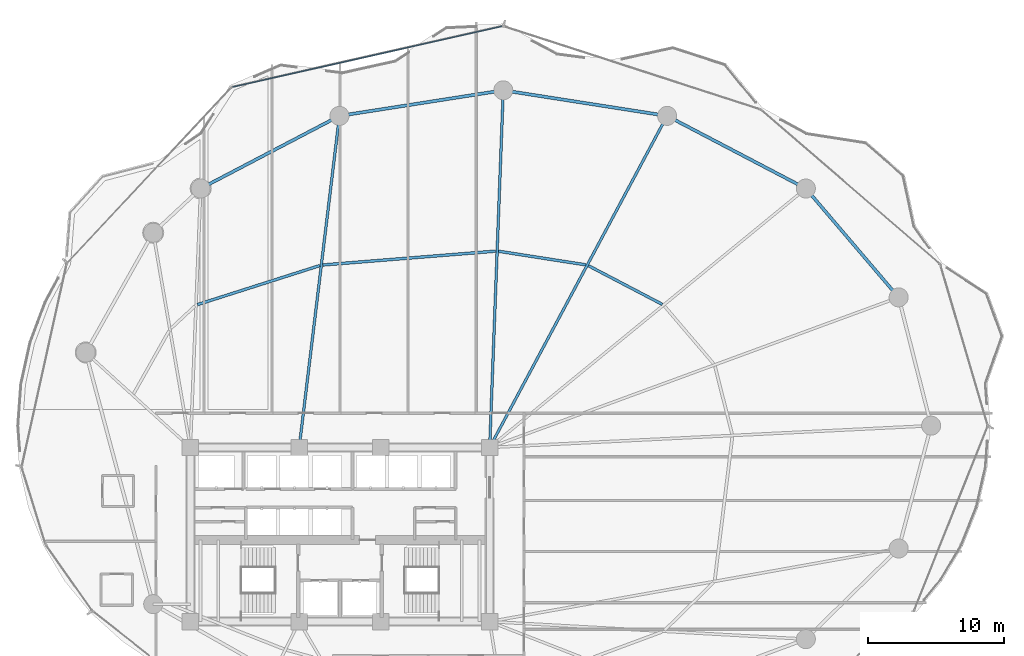
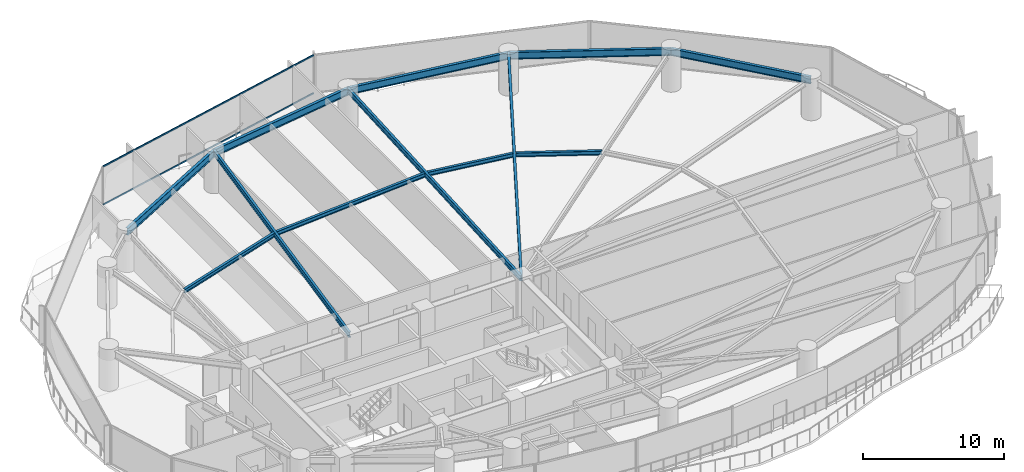
# One storey, part 18 of 34: 12 beams, 2 members, 1 element without a shape of its own.
"""IFC4 building model written with IfcOpenShell, lengths in metres."""

import ifcopenshell
import ifcopenshell.guid

model = None  # the IFC model being written
_history = None  # IfcOwnerHistory: only IFC2X3 demands one
_inside = {}  # id of a spatial element -> (the spatial element, [elements in it])
_under = {}  # id of a project, library or spatial element -> (it, [spatial elements below it])
_declared = {}  # id of a project -> (the project, [libraries it declares])
_typed = {}  # id of a type object -> (the type object, [elements of that type])
_made_of = {}  # id of a material, layer set ... -> (it, [elements and type objects made of it])


def new_model(schema):
    """Start an empty IFC model of exactly this schema.

    Asked for "IFC4X3", IfcOpenShell would pick the latest addendum, in which some entities
    have other attributes; the version numbers below select the first issue.
    IFC2X3 requires an IfcOwnerHistory on every rooted entity: one is made here for all.
    """
    global model, _history
    if schema == "IFC4X3":
        model = ifcopenshell.file(schema_version=(4, 3, 0, 0))
    else:
        model = ifcopenshell.file(schema=schema)
    _inside.clear()
    _under.clear()
    _declared.clear()
    _typed.clear()
    _made_of.clear()
    _history = None
    if model.schema == "IFC2X3":
        org = make("IfcOrganization", Name="unknown")
        user = make(
            "IfcPersonAndOrganization",
            ThePerson=make("IfcPerson", FamilyName="unknown"),
            TheOrganization=org,
        )
        app = make(
            "IfcApplication",
            ApplicationDeveloper=org,
            Version="unknown",
            ApplicationFullName="unknown",
            ApplicationIdentifier="unknown",
        )
        _history = make(
            "IfcOwnerHistory",
            OwningUser=user,
            OwningApplication=app,
            ChangeAction="ADDED",
            CreationDate=0,
        )
    return model


def make(cls, **values):
    """One entity of the class cls with the attributes given. An attribute that is None is left unset."""
    return model.create_entity(
        cls, **{name: value for name, value in values.items() if value is not None}
    )


def rooted(cls, **values):
    """An entity with a GlobalId (a new one), such as an element, a storey or a relation."""
    return make(cls, GlobalId=ifcopenshell.guid.new(), OwnerHistory=_history, **values)


def si_unit(unit_type, name, prefix=None):
    """IfcSIUnit, for example si_unit("LENGTHUNIT", "METRE", prefix="MILLI")."""
    return make("IfcSIUnit", UnitType=unit_type, Prefix=prefix, Name=name)


def assignment(units):
    """IfcUnitAssignment: the units of a project."""
    return None if units is None else make("IfcUnitAssignment", Units=units)


def point(xyz):
    """IfcCartesianPoint."""
    return None if xyz is None else make("IfcCartesianPoint", Coordinates=xyz)


def direction(xyz):
    """IfcDirection."""
    return None if xyz is None else make("IfcDirection", DirectionRatios=xyz)


def frame(location, z_axis=None, x_axis=None):
    """IfcAxis2Placement3D, a coordinate frame: its origin and axes. An axis left out is left unset."""
    return make(
        "IfcAxis2Placement3D",
        Location=point(location),
        Axis=direction(z_axis),
        RefDirection=direction(x_axis),
    )


def frame_2d(location, x_axis=None):
    """IfcAxis2Placement2D, a coordinate frame in the plane: its origin and x axis."""
    return make(
        "IfcAxis2Placement2D", Location=point(location), RefDirection=direction(x_axis)
    )


def origin():
    """The frame at (0, 0, 0) with its axes left unset."""
    return frame((0.0, 0.0, 0.0))


def origin_2d():
    """The frame at (0, 0) in the plane with its x axis left unset."""
    return frame_2d((0.0, 0.0))


def place(relative_to, where):
    """IfcLocalPlacement: puts the frame where relative to a parent placement (None: the world)."""
    return make(
        "IfcLocalPlacement", PlacementRelTo=relative_to, RelativePlacement=where
    )


def context(
    kind, dimensions, precision=None, world=None, true_north=None, identifier=None
):
    """IfcGeometricRepresentationContext, for example the 3D "Model" context."""
    return make(
        "IfcGeometricRepresentationContext",
        ContextIdentifier=identifier,
        ContextType=kind,
        CoordinateSpaceDimension=dimensions,
        Precision=precision,
        WorldCoordinateSystem=world,
        TrueNorth=true_north,
    )


def subcontext(parent, identifier, kind, view, scale=None):
    """IfcGeometricRepresentationSubContext, for example "Body" below "Model"."""
    return make(
        "IfcGeometricRepresentationSubContext",
        ContextIdentifier=identifier,
        ContextType=kind,
        ParentContext=parent,
        TargetScale=scale,
        TargetView=view,
    )


def project(units=None, contexts=None):
    """IfcProject with its units and contexts."""
    return rooted(
        "IfcProject",
        Name="project",
        RepresentationContexts=contexts,
        UnitsInContext=assignment(units),
    )


def spatial(cls, under=None, at=None, **own):
    """A site, building, storey or space (cls), placed at a placement, below another one or the project."""
    s = rooted(cls, ObjectPlacement=at, **own)
    if under is not None:
        _under.setdefault(under.id(), (under, []))[1].append(s)
    return s


def profile(cls, at=None, kind="AREA", **sizes):
    """A parametric profile (cls). Its sizes go by their IFC names, for example OverallWidth=200.0."""
    return make(cls, ProfileType=kind, Position=at, **sizes)


def hollow_rectangle(**sizes):
    """IfcRectangleHollowProfileDef."""
    return profile("IfcRectangleHollowProfileDef", **sizes)


def i_section(**sizes):
    """IfcIShapeProfileDef."""
    return profile("IfcIShapeProfileDef", **sizes)


def extrude(swept, where, along, depth):
    """IfcExtrudedAreaSolid: the profile swept, set in the frame where, extruded along a direction by depth."""
    return make(
        "IfcExtrudedAreaSolid",
        SweptArea=swept,
        Position=where,
        ExtrudedDirection=direction(along),
        Depth=depth,
    )


def shape(context_of_items, identifier, shape_type, items):
    """IfcShapeRepresentation: the items that make up one representation, for example the "Body"."""
    return make(
        "IfcShapeRepresentation",
        ContextOfItems=context_of_items,
        RepresentationIdentifier=identifier,
        RepresentationType=shape_type,
        Items=items,
    )


def material(Name=None, Category=None):
    """IfcMaterial."""
    return make("IfcMaterial", Name=Name, Category=Category)


def layer(
    of_material, thickness, ventilated=None, Name=None, Category=None, Priority=None
):
    """IfcMaterialLayer: one layer of a wall or slab, of a material (None: an air gap)."""
    return make(
        "IfcMaterialLayer",
        Material=of_material,
        LayerThickness=thickness,
        IsVentilated=ventilated,
        Name=Name,
        Category=Category,
        Priority=Priority,
    )


def layer_set(layers, Name=None):
    """IfcMaterialLayerSet."""
    return make("IfcMaterialLayerSet", MaterialLayers=layers, LayerSetName=Name)


def material_profile(
    of_material, cross_section, Name=None, Category=None, Priority=None
):
    """IfcMaterialProfile: a cross section and its material."""
    return make(
        "IfcMaterialProfile",
        Name=Name,
        Material=of_material,
        Profile=cross_section,
        Priority=Priority,
        Category=Category,
    )


def profile_set(profiles, Name=None, composite=None):
    """IfcMaterialProfileSet."""
    return make(
        "IfcMaterialProfileSet",
        Name=Name,
        MaterialProfiles=profiles,
        CompositeProfile=composite,
    )


def made_of(thing, what):
    """Note that an element or type object is made of a material, layer set ...; save() writes the relation."""
    if what is not None:
        _made_of.setdefault(what.id(), (what, []))[1].append(thing)
    return thing


def type_object(cls, material=None, **own):
    """A type object (cls), such as IfcWallType, which elements share."""
    return made_of(rooted(cls, **own), material)


def element(
    cls,
    number,
    at=None,
    inside=None,
    cuts=None,
    type_object=None,
    material=None,
    context=None,
    identifier="Body",
    shape_type=None,
    held_by="IfcProductDefinitionShape",
    body=None,
    shapes=None,
    **own,
):
    """One element of the class cls, such as IfcWall. Its Tag is "e" and its number.

    at: its placement. inside: the storey or other place that contains it. cuts: it is an
    opening in that element (IfcRelVoidsElement). A single representation is given by context,
    identifier, shape_type and body (its items); several are given by shapes. held_by: the class
    of the entity that holds the representations. save() writes the other relations.
    """
    e = rooted(cls, Tag="e%d" % number, ObjectPlacement=at, **own)
    if body is not None:
        shapes = [shape(context, identifier, shape_type, body)]
    if shapes is not None:
        e.Representation = make(held_by, Representations=shapes)
    if inside is not None:
        _inside.setdefault(inside.id(), (inside, []))[1].append(e)
    if cuts is not None:
        rooted(
            "IfcRelVoidsElement", RelatingBuildingElement=cuts, RelatedOpeningElement=e
        )
    if type_object is not None:
        _typed.setdefault(type_object.id(), (type_object, []))[1].append(e)
    return made_of(e, material)


def aggregate(whole, parts):
    """IfcRelAggregates: a whole, such as a stair, and the parts it consists of."""
    return rooted("IfcRelAggregates", RelatingObject=whole, RelatedObjects=parts)


def save(model, path):
    """Write the relations noted so far, then the file.

    IfcRelAggregates (storeys below a building ...), IfcRelContainedInSpatialStructure (elements
    in a storey), IfcRelDefinesByType, IfcRelAssociatesMaterial and IfcRelDeclares: one each for
    every whole, place, type object, material and project.
    """
    for whole, parts in _under.values():
        aggregate(whole, parts)
    for where, things in _inside.values():
        rooted(
            "IfcRelContainedInSpatialStructure",
            RelatedElements=things,
            RelatingStructure=where,
        )
    for kind, things in _typed.values():
        rooted("IfcRelDefinesByType", RelatedObjects=things, RelatingType=kind)
    for what, things in _made_of.values():
        rooted("IfcRelAssociatesMaterial", RelatedObjects=things, RelatingMaterial=what)
    for by, libraries in _declared.values():
        rooted("IfcRelDeclares", RelatingContext=by, RelatedDefinitions=libraries)
    model.write(path)


model = new_model("IFC4")

# Units and contexts
model_context = context("Model", 3, precision=1e-05, world=origin(), true_north=direction((0.0, 1.0)))
body_context = subcontext(model_context, "Body", "Model", "MODEL_VIEW")
ifc_project = project(units=[si_unit("LENGTHUNIT", "METRE"), si_unit("AREAUNIT", "SQUARE_METRE"), si_unit("VOLUMEUNIT", "CUBIC_METRE"), si_unit("PLANEANGLEUNIT", "RADIAN"), si_unit("MASSUNIT", "GRAM", prefix="KILO")], contexts=[model_context])

# Site, building, storey
site_placement = place(None, origin())
site = spatial("IfcSite", under=ifc_project, at=site_placement, CompositionType="ELEMENT")
building_placement = place(site_placement, origin())
building = spatial("IfcBuilding", under=site, at=building_placement, Name="Kazevale Care Tower and Concert Hall", CompositionType="ELEMENT")
storey_placement = place(building_placement, frame((0.0, 0.0, 67.199951171875)))
storey = spatial("IfcBuildingStorey", under=building, at=storey_placement, Name="L17", CompositionType="ELEMENT", Elevation=67.199951171875)

# Curtain wall, members
ifc_material_1 = material(Name="Aluminium 6063-T6 and Low-E Glass", Category="aluminium")
ifc_layer = layer(ifc_material_1, 0.179931640625)
ifc_layer_set = layer_set([ifc_layer], Name="Aluminium 6063-T6 and Low-E Glass")
curtain_wall_type = type_object("IfcCurtainWallType", Name="Convex Recessed Sunroom Curtain Wall CW-3", PredefinedType="NOTDEFINED", material=ifc_layer_set)
curtain_wall_placement = place(storey_placement, origin())
curtain_wall = element("IfcCurtainWall", 1, at=curtain_wall_placement, inside=storey, type_object=curtain_wall_type, Name="cw:L17:f15", PredefinedType="NOTDEFINED")
ifc_material_2 = material(Name="Aluminium 6063-T6", Category="aluminium")
ifc_material_profile_1 = material_profile(ifc_material_2, hollow_rectangle(XDim=0.074951171875, YDim=0.1201171875, WallThickness=0.00390625, at=origin_2d()), Name="ALU75x120x4")
ifc_profile_set_1 = profile_set([ifc_material_profile_1], Name="Aluminium 6063-T6")
member_type = type_object("IfcMemberType", Name="CW-3 Transom ALU75x120x4", PredefinedType="USERDEFINED", material=ifc_profile_set_1)
member_1_placement = place(storey_placement, frame((25.110107421875, 62.8935546875, 0.03759765625), z_axis=(0.975519983898, 0.219910802409, 0.0), x_axis=(-0.219910802409, 0.975519983898, 0.0)))
member_1 = element("IfcMember", 2, at=member_1_placement, type_object=member_type, Name="CW-3 transom 1.1", ObjectType="TRANSOM", PredefinedType="USERDEFINED", context=body_context, shape_type="SweptSolid", body=[
    extrude(hollow_rectangle(XDim=0.074951171875, YDim=0.1201171875, WallThickness=0.00390625, at=origin_2d()), origin(), (0.0, 0.0, 1.0), 20.27197265625),
])
member_2_placement = place(storey_placement, frame((25.110107421875, 62.8935546875, 3.322509765625), z_axis=(0.975519983898, 0.219910802409, 0.0), x_axis=(-0.219910802409, 0.975519983898, 0.0)))
member_2 = element("IfcMember", 3, at=member_2_placement, type_object=member_type, Name="CW-3 transom 1.2", ObjectType="TRANSOM", PredefinedType="USERDEFINED", context=body_context, shape_type="SweptSolid", body=[
    extrude(hollow_rectangle(XDim=0.074951171875, YDim=0.1201171875, WallThickness=0.00390625, at=origin_2d()), origin(), (0.0, 0.0, 1.0), 20.27197265625),
])
aggregate(curtain_wall, [member_1, member_2])

# Beams
ifc_material_3 = material(Name="Steel ASTM A572 Gr 50", Category="steel")
ifc_material_profile_2 = material_profile(ifc_material_3, i_section(OverallWidth=0.19091796875, OverallDepth=0.4599609375, WebThickness=0.010009765625, FlangeThickness=0.01611328125, at=origin_2d()), Name="W460x82")
ifc_profile_set_2 = profile_set([ifc_material_profile_2], Name="Steel ASTM A572 Gr 50")
beam_type_1 = type_object("IfcBeamType", Name="Radial Floor Beam W460x82", PredefinedType="BEAM", material=ifc_profile_set_2)
beam_1_placement = place(storey_placement, frame((44.0, 36.39990234375, 3.130126953125), z_axis=(0.471788966953, 0.88171150081, 0.0), x_axis=(-0.88171150081, 0.471788966953, 0.0)))
element("IfcBeam", 4, at=beam_1_placement, inside=storey, type_object=beam_type_1, Name="beam:L17:rad:04", PredefinedType="BEAM", context=body_context, shape_type="SweptSolid", body=[
    extrude(i_section(OverallWidth=0.19091796875, OverallDepth=0.4599609375, WebThickness=0.010009765625, FlangeThickness=0.01611328125, at=origin_2d()), origin(), (0.0, 0.0, 1.0), 27.6396484375),
])
beam_2_placement = place(storey_placement, frame((44.0, 36.39990234375, 3.130126953125), z_axis=(0.038067625343, 0.999275165258, 0.0), x_axis=(-0.999275165258, 0.038067625343, 0.0)))
element("IfcBeam", 5, at=beam_2_placement, inside=storey, type_object=beam_type_1, Name="beam:L17:rad:05", PredefinedType="BEAM", context=body_context, shape_type="SweptSolid", body=[
    extrude(i_section(OverallWidth=0.19091796875, OverallDepth=0.4599609375, WebThickness=0.010009765625, FlangeThickness=0.01611328125, at=origin_2d()), origin(), (0.0, 0.0, 1.0), 26.26904296875),
])
beam_3_placement = place(storey_placement, frame((30.0, 36.39990234375, 3.130126953125), z_axis=(0.120572526662, 0.9927045209, 0.0), x_axis=(-0.9927045209, 0.120572526662, 0.0)))
element("IfcBeam", 6, at=beam_3_placement, inside=storey, type_object=beam_type_1, Name="beam:L17:rad:06", PredefinedType="BEAM", context=body_context, shape_type="SweptSolid", body=[
    extrude(i_section(OverallWidth=0.19091796875, OverallDepth=0.4599609375, WebThickness=0.010009765625, FlangeThickness=0.01611328125, at=origin_2d()), origin(), (0.0, 0.0, 1.0), 24.54931640625),
])
ifc_material_profile_3 = material_profile(ifc_material_3, i_section(OverallWidth=0.22900390625, OverallDepth=0.612060546875, WebThickness=0.011962890625, FlangeThickness=0.01953125, at=origin_2d()), Name="W610x125")
ifc_profile_set_3 = profile_set([ifc_material_profile_3], Name="Steel ASTM A572 Gr 50")
beam_type_2 = type_object("IfcBeamType", Name="Ring Spandrel Beam W610x125", PredefinedType="SPANDREL", material=ifc_profile_set_3)
beam_4_placement = place(storey_placement, frame((74.06005859375, 47.429931640625, 3.053955078125), z_axis=(-0.648756004283, 0.760996482848, 0.0), x_axis=(-0.760996482848, -0.648756004283, 0.0)))
element("IfcBeam", 7, at=beam_4_placement, inside=storey, type_object=beam_type_2, Name="beam:L17:ring:02", PredefinedType="SPANDREL", context=body_context, shape_type="SweptSolid", body=[
    extrude(i_section(OverallWidth=0.22900390625, OverallDepth=0.612060546875, WebThickness=0.011962890625, FlangeThickness=0.01953125, at=origin_2d()), origin(), (0.0, 0.0, 1.0), 10.512451171875),
])
beam_5_placement = place(storey_placement, frame((67.239990234375, 55.429931640625, 3.053955078125), z_axis=(-0.885929466679, 0.463819986708, 0.0), x_axis=(-0.463819986708, -0.885929466679, 0.0)))
element("IfcBeam", 8, at=beam_5_placement, inside=storey, type_object=beam_type_2, Name="beam:L17:ring:03", PredefinedType="SPANDREL", context=body_context, shape_type="SweptSolid", body=[
    extrude(i_section(OverallWidth=0.22900390625, OverallDepth=0.612060546875, WebThickness=0.011962890625, FlangeThickness=0.01953125, at=origin_2d()), origin(), (0.0, 0.0, 1.0), 11.51318359375),
])
for number, where, z_axis, x_axis, name in (
    (9, (57.0400390625, 60.77001953125, 3.053955078125), (-0.988029216561, 0.154266870134, 0.0), (-0.154266870134, -0.988029216561, 0.0), "beam:L17:ring:04"),
    (10, (45.0, 62.64990234375, 3.053955078125), (-0.988029216561, -0.154266870134, 0.0), (0.154266870134, -0.988029216561, 0.0), "beam:L17:ring:05"),
):
    element("IfcBeam", number, at=place(storey_placement, frame(where, z_axis=z_axis, x_axis=x_axis)), inside=storey, type_object=beam_type_2, Name=name, PredefinedType="SPANDREL", context=body_context, shape_type="SweptSolid", body=[
        extrude(i_section(OverallWidth=0.22900390625, OverallDepth=0.612060546875, WebThickness=0.011962890625, FlangeThickness=0.01953125, at=origin_2d()), origin(), (0.0, 0.0, 1.0), 12.18603515625),
    ])
beam_6_placement = place(storey_placement, frame((32.9599609375, 60.77001953125, 3.053955078125), z_axis=(-0.885929466679, -0.463819986708, 0.0), x_axis=(0.463819986708, -0.885929466679, 0.0)))
element("IfcBeam", 11, at=beam_6_placement, inside=storey, type_object=beam_type_2, Name="beam:L17:ring:06", PredefinedType="SPANDREL", context=body_context, shape_type="SweptSolid", body=[
    extrude(i_section(OverallWidth=0.22900390625, OverallDepth=0.612060546875, WebThickness=0.011962890625, FlangeThickness=0.01953125, at=origin_2d()), origin(), (0.0, 0.0, 1.0), 11.51318359375),
])
ifc_material_profile_4 = material_profile(ifc_material_3, i_section(OverallWidth=0.205078125, OverallDepth=0.35400390625, WebThickness=0.009521484375, FlangeThickness=0.016845703125, at=origin_2d()), Name="W360x79")
ifc_profile_set_4 = profile_set([ifc_material_profile_4], Name="Steel ASTM A572 Gr 50")
beam_type_3 = type_object("IfcBeamType", Name="Secondary Floor Joist W360x79", PredefinedType="JOIST", material=ifc_profile_set_4)
beam_7_placement = place(storey_placement, frame((56.68896484375, 46.9150390625, 3.18310546875), z_axis=(-0.885921274797, 0.463835633454, 0.0), x_axis=(-0.463835633454, -0.885921274797, 0.0)))
element("IfcBeam", 12, at=beam_7_placement, inside=storey, type_object=beam_type_3, Name="beam:L17:joist:03", PredefinedType="JOIST", context=body_context, shape_type="SweptSolid", body=[
    extrude(i_section(OverallWidth=0.205078125, OverallDepth=0.35400390625, WebThickness=0.009521484375, FlangeThickness=0.016845703125, at=origin_2d()), origin(), (0.0, 0.0, 1.0), 6.12255859375),
])
beam_8_placement = place(storey_placement, frame((51.068115234375, 49.820068359375, 3.18310546875), z_axis=(-0.988040697826, 0.154193318403, 0.0), x_axis=(-0.154193318403, -0.988040697826, 0.0)))
element("IfcBeam", 13, at=beam_8_placement, inside=storey, type_object=beam_type_3, Name="beam:L17:joist:04", PredefinedType="JOIST", context=body_context, shape_type="SweptSolid", body=[
    extrude(i_section(OverallWidth=0.205078125, OverallDepth=0.35400390625, WebThickness=0.009521484375, FlangeThickness=0.016845703125, at=origin_2d()), origin(), (0.0, 0.0, 1.0), 6.49169921875),
])
beam_9_placement = place(storey_placement, frame((44.445068359375, 50.8291015625, 3.18310546875), z_axis=(-0.996814548036, -0.079754353015, 0.0), x_axis=(0.079754353015, -0.996814548036, 0.0)))
element("IfcBeam", 14, at=beam_9_placement, inside=storey, type_object=beam_type_3, Name="beam:L17:joist:05", PredefinedType="JOIST", context=body_context, shape_type="SweptSolid", body=[
    extrude(i_section(OverallWidth=0.205078125, OverallDepth=0.35400390625, WebThickness=0.009521484375, FlangeThickness=0.016845703125, at=origin_2d()), origin(), (0.0, 0.0, 1.0), 12.752685546875),
])
beam_10_placement = place(storey_placement, frame((31.528076171875, 49.77197265625, 3.18310546875), z_axis=(-0.9527054955, -0.303895111584, 0.0), x_axis=(0.303895111584, -0.9527054955, 0.0)))
element("IfcBeam", 15, at=beam_10_placement, inside=storey, type_object=beam_type_3, Name="beam:L17:joist:06", PredefinedType="JOIST", context=body_context, shape_type="SweptSolid", body=[
    extrude(i_section(OverallWidth=0.205078125, OverallDepth=0.35400390625, WebThickness=0.009521484375, FlangeThickness=0.016845703125, at=origin_2d()), origin(), (0.0, 0.0, 1.0), 9.457275390625),
])

save(model, "model.ifc")
